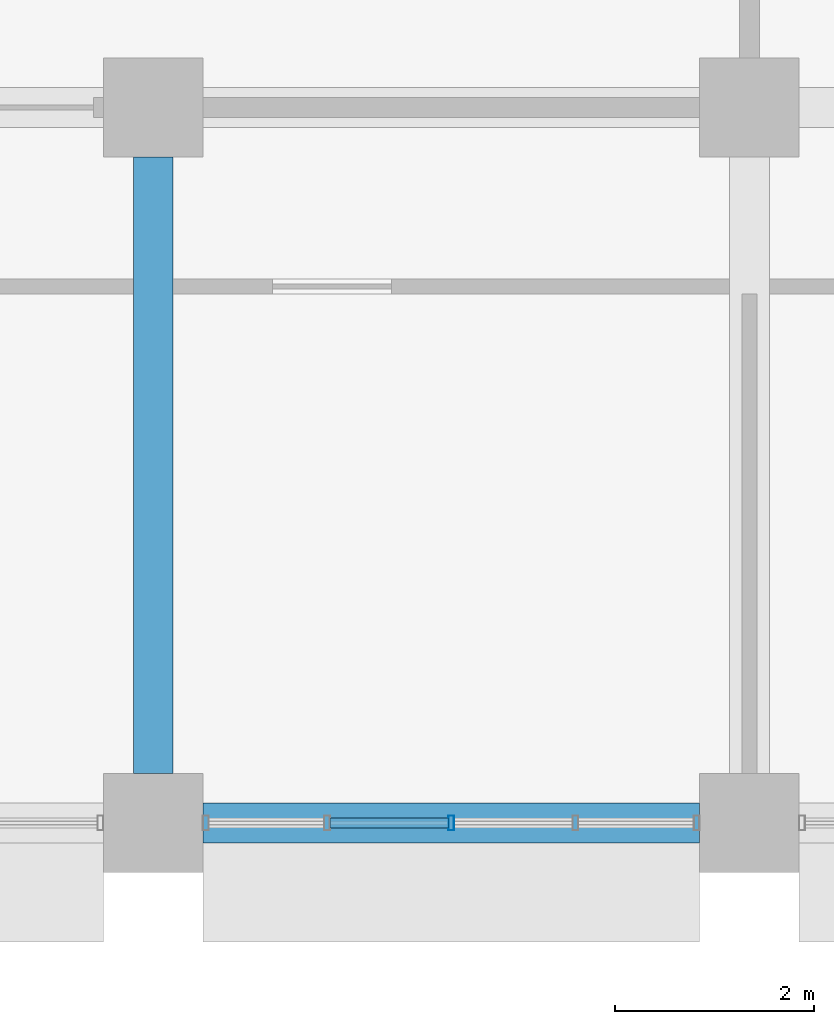
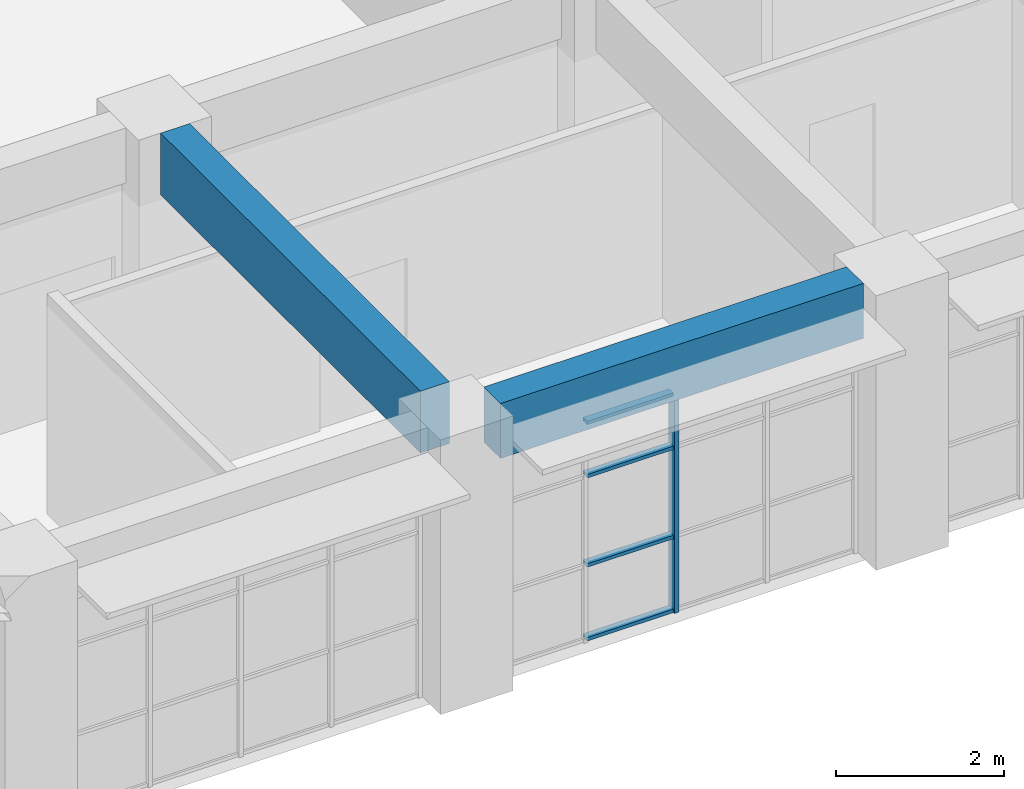
# One storey, part 32 of 92: 5 members, 2 beams, 1 element without a shape of its own.
"""IFC4 building model written with IfcOpenShell, lengths in metres."""

from ifc_helpers import new_model, si_unit, direction, frame, origin, origin_2d, place, context, subcontext, project, spatial, rectangle, hollow_rectangle, extrude, material, material_profile, profile_set, type_object, element, aggregate, save


model = new_model("IFC4")

# Units and contexts
model_context = context("Model", 3, precision=1e-05, world=origin(), true_north=direction((0.0, 1.0)))
body_context = subcontext(model_context, "Body", "Model", "MODEL_VIEW")
ifc_project = project(units=[si_unit("LENGTHUNIT", "METRE"), si_unit("AREAUNIT", "SQUARE_METRE"), si_unit("VOLUMEUNIT", "CUBIC_METRE"), si_unit("PLANEANGLEUNIT", "RADIAN"), si_unit("MASSUNIT", "GRAM", prefix="KILO")], contexts=[model_context])

# Site, building, storey
site_placement = place(None, origin())
site = spatial("IfcSite", under=ifc_project, at=site_placement, CompositionType="ELEMENT")
building_placement = place(site_placement, origin())
building = spatial("IfcBuilding", under=site, at=building_placement, Name="Laocheng Heights Fire and Rescue Headquarters", CompositionType="ELEMENT")
storey_placement = place(building_placement, frame((0.0, 0.0, 12.60009765625)))
storey = spatial("IfcBuildingStorey", under=building, at=storey_placement, Name="L03", CompositionType="ELEMENT", Elevation=12.60009765625)

# Curtain wall, members
ifc_material_1 = material(Name="Dark anodised aluminium unitised curtain wall, low-e double glazing", Category="aluminium")
curtain_wall_type = type_object("IfcCurtainWallType", Name="CW 5000 x 3200 HQ SOUTH RIBBON", PredefinedType="NOTDEFINED", material=ifc_material_1)
curtain_wall_placement = place(storey_placement, origin())
curtain_wall = element("IfcCurtainWall", 1, at=curtain_wall_placement, inside=storey, type_object=curtain_wall_type, Name="X10-X HQ SOUTH L03", PredefinedType="NOTDEFINED")
ifc_material_2 = material(Name="Dark anodised aluminium 6063-T5 extrusion", Category="aluminium")
ifc_material_profile_1 = material_profile(ifc_material_2, hollow_rectangle(XDim=0.14990234375, YDim=0.06005859375, WallThickness=0.0029296875, at=origin_2d()), Name="AL MULLION 150x60x3 HQ SOUTH RIBBON")
ifc_profile_set_1 = profile_set([ifc_material_profile_1], Name="Dark anodised aluminium 6063-T5 extrusion")
member_type_1 = type_object("IfcMemberType", Name="AL MULLION 150x60x3 HQ SOUTH RIBBON", PredefinedType="MULLION", material=ifc_profile_set_1)
member_1_placement = place(storey_placement, frame((63.0, 50.39990234375, 0.0), z_axis=(0.0, 0.0, 1.0), x_axis=(0.0, 1.0, 0.0)))
member_1 = element("IfcMember", 2, at=member_1_placement, type_object=member_type_1, Name="X10-X mullion 3", PredefinedType="MULLION", context=body_context, shape_type="SweptSolid", body=[
    extrude(hollow_rectangle(XDim=0.14990234375, YDim=0.06005859375, WallThickness=0.0029296875, at=origin_2d()), origin(), (0.0, 0.0, 1.0), 3.199951171875),
])
ifc_material_3 = material(Name="Dark anodised aluminium 6063-T5 extrusion", Category="aluminium")
ifc_material_profile_2 = material_profile(ifc_material_3, hollow_rectangle(XDim=0.10009765625, YDim=0.050048828125, WallThickness=0.0029296875, at=origin_2d()), Name="AL TRANSOM 100x50x3 HQ SOUTH RIBBON")
ifc_profile_set_2 = profile_set([ifc_material_profile_2], Name="Dark anodised aluminium 6063-T5 extrusion")
member_type_2 = type_object("IfcMemberType", Name="AL TRANSOM 100x50x3 HQ SOUTH RIBBON", PredefinedType="USERDEFINED", material=ifc_profile_set_2)
member_2_placement = place(storey_placement, frame((61.780029296875, 50.39990234375, 0.02490234375), z_axis=(1.0, 0.0, 0.0), x_axis=(0.0, 1.0, 0.0)))
member_2 = element("IfcMember", 3, at=member_2_placement, type_object=member_type_2, Name="X10-X transom 2.1", ObjectType="TRANSOM", PredefinedType="USERDEFINED", context=body_context, shape_type="SweptSolid", body=[
    extrude(hollow_rectangle(XDim=0.10009765625, YDim=0.050048828125, WallThickness=0.0029296875, at=origin_2d()), origin(), (0.0, 0.0, 1.0), 1.18994140625),
])
member_3_placement = place(storey_placement, frame((61.780029296875, 50.39990234375, 1.099853515625), z_axis=(1.0, 0.0, 0.0), x_axis=(0.0, 1.0, 0.0)))
member_3 = element("IfcMember", 4, at=member_3_placement, type_object=member_type_2, Name="X10-X transom 2.2", ObjectType="TRANSOM", PredefinedType="USERDEFINED", context=body_context, shape_type="SweptSolid", body=[
    extrude(hollow_rectangle(XDim=0.10009765625, YDim=0.050048828125, WallThickness=0.0029296875, at=origin_2d()), origin(), (0.0, 0.0, 1.0), 1.18994140625),
])
member_4_placement = place(storey_placement, frame((61.780029296875, 50.39990234375, 2.39990234375), z_axis=(1.0, 0.0, 0.0), x_axis=(0.0, 1.0, 0.0)))
member_4 = element("IfcMember", 5, at=member_4_placement, type_object=member_type_2, Name="X10-X transom 2.3", ObjectType="TRANSOM", PredefinedType="USERDEFINED", context=body_context, shape_type="SweptSolid", body=[
    extrude(hollow_rectangle(XDim=0.10009765625, YDim=0.050048828125, WallThickness=0.0029296875, at=origin_2d()), origin(), (0.0, 0.0, 1.0), 1.18994140625),
])
member_5_placement = place(storey_placement, frame((61.780029296875, 50.39990234375, 3.1748046875), z_axis=(1.0, 0.0, 0.0), x_axis=(0.0, 1.0, 0.0)))
member_5 = element("IfcMember", 6, at=member_5_placement, type_object=member_type_2, Name="X10-X transom 2.4", ObjectType="TRANSOM", PredefinedType="USERDEFINED", context=body_context, shape_type="SweptSolid", body=[
    extrude(hollow_rectangle(XDim=0.10009765625, YDim=0.050048828125, WallThickness=0.0029296875, at=origin_2d()), origin(), (0.0, 0.0, 1.0), 1.18994140625),
])
aggregate(curtain_wall, [member_1, member_2, member_3, member_4, member_5])

# Beams
ifc_material_4 = material(Name="Concrete C40", Category="concrete")
ifc_material_profile_3 = material_profile(ifc_material_4, rectangle(XDim=0.39990234375, YDim=0.800048828125, at=origin_2d()), Name="RC BEAM 400x800 HQ")
ifc_profile_set_3 = profile_set([ifc_material_profile_3], Name="Concrete C40")
beam_type_1 = type_object("IfcBeamType", Name="RC BEAM 400x800 HQ", PredefinedType="BEAM", material=ifc_profile_set_3)
beam_1_placement = place(storey_placement, frame((60.5, 50.39990234375, 3.599853515625), z_axis=(1.0, 0.0, 0.0), x_axis=(0.0, 1.0, 0.0)))
element("IfcBeam", 7, at=beam_1_placement, inside=storey, type_object=beam_type_1, Name="HQ beam L03", PredefinedType="BEAM", context=body_context, shape_type="SweptSolid", body=[
    extrude(rectangle(XDim=0.39990234375, YDim=0.800048828125, at=origin_2d()), origin(), (0.0, 0.0, 1.0), 5.0),
])
ifc_material_5 = material(Name="Concrete C40", Category="concrete")
ifc_material_profile_4 = material_profile(ifc_material_5, rectangle(XDim=0.39990234375, YDim=0.89990234375, at=origin_2d()), Name="RC BEAM 400x900 HQ")
ifc_profile_set_4 = profile_set([ifc_material_profile_4], Name="Concrete C40")
beam_type_2 = type_object("IfcBeamType", Name="RC BEAM 400x900 HQ", PredefinedType="BEAM", material=ifc_profile_set_4)
beam_2_placement = place(storey_placement, frame((60.0, 50.89990234375, 3.5498046875), z_axis=(0.0, 1.0, 0.0), x_axis=(-1.0, 0.0, 0.0)))
element("IfcBeam", 8, at=beam_2_placement, inside=storey, type_object=beam_type_2, Name="HQ beam L03", PredefinedType="BEAM", context=body_context, shape_type="SweptSolid", body=[
    extrude(rectangle(XDim=0.39990234375, YDim=0.89990234375, at=origin_2d()), origin(), (0.0, 0.0, 1.0), 6.2001953125),
])

save(model, "model.ifc")
